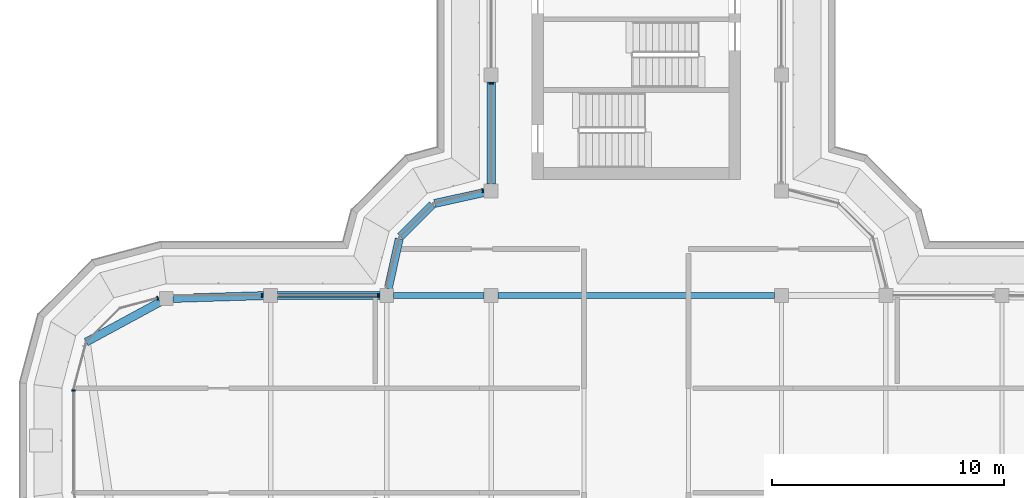
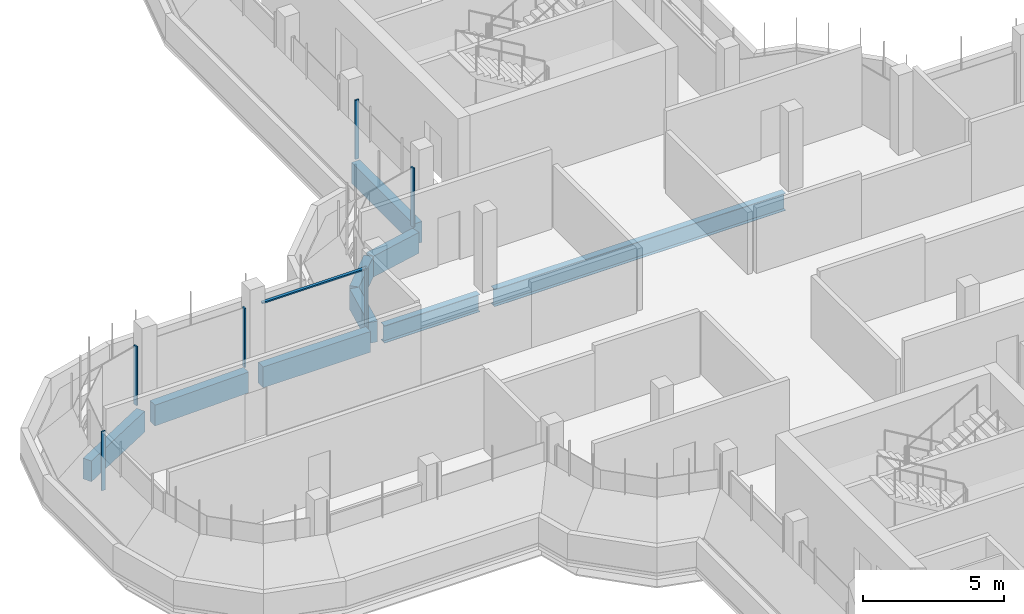
# One storey, part 6 of 19: 9 beams, 7 members, 5 elements without a shape of their own.
"""IFC4 building model written with IfcOpenShell, lengths in metres."""

from ifc_helpers import new_model, si_unit, direction, frame, origin, origin_2d, place, context, subcontext, project, spatial, polyline, rectangle, i_section, outline, extrude, source, transform, mapped, material, material_profile, profile_set, type_object, element, aggregate, save


model = new_model("IFC4")

# Units and contexts
model_context = context("Model", 3, precision=1e-05, world=origin(), true_north=direction((0.0, 1.0)))
body_context = subcontext(model_context, "Body", "Model", "MODEL_VIEW")
ifc_project = project(units=[si_unit("LENGTHUNIT", "METRE"), si_unit("AREAUNIT", "SQUARE_METRE"), si_unit("VOLUMEUNIT", "CUBIC_METRE"), si_unit("PLANEANGLEUNIT", "RADIAN"), si_unit("MASSUNIT", "GRAM", prefix="KILO")], contexts=[model_context])

# Site, building, storey
site_placement = place(None, origin())
site = spatial("IfcSite", under=ifc_project, at=site_placement, CompositionType="ELEMENT")
building_placement = place(site_placement, origin())
building = spatial("IfcBuilding", under=site, at=building_placement, Name="Zarbagh Exchange Tower", CompositionType="ELEMENT")
storey_placement = place(building_placement, frame((0.0, 0.0, 295.199951171875)))
storey = spatial("IfcBuildingStorey", under=building, at=storey_placement, Name="L72", CompositionType="ELEMENT", Elevation=295.199951171875)

# Beams
ifc_material_1 = material(Name="Steel ASTM A992 Gr 50", Category="steel")
ifc_material_profile_1 = material_profile(ifc_material_1, i_section(OverallWidth=0.26416015625, OverallDepth=0.749267578125, WebThickness=0.011962890625, FlangeThickness=0.015380859375, at=origin_2d()), Name="W30X90")
ifc_profile_set_1 = profile_set([ifc_material_profile_1], Name="Steel ASTM A992 Gr 50")
beam_type_1 = type_object("IfcBeamType", Name="Floor girder W30X90", PredefinedType="BEAM", material=ifc_profile_set_1)
beam_1_placement = place(storey_placement, frame((-10.449951171875, 6.25, -0.524658203125), z_axis=(1.0, 0.0, 0.0), x_axis=(0.0, 1.0, 0.0)))
element("IfcBeam", 1, at=beam_1_placement, inside=storey, type_object=beam_type_1, Name="Steel girder", PredefinedType="BEAM", context=body_context, shape_type="SweptSolid", body=[
    extrude(i_section(OverallWidth=0.26416015625, OverallDepth=0.749267578125, WebThickness=0.011962890625, FlangeThickness=0.015380859375, at=origin_2d()), origin(), (0.0, 0.0, 1.0), 3.89990234375),
])
beam_2_placement = place(storey_placement, frame((-5.949951171875, 6.25, -0.524658203125), z_axis=(1.0, 0.0, 0.0), x_axis=(0.0, 1.0, 0.0)))
element("IfcBeam", 2, at=beam_2_placement, inside=storey, type_object=beam_type_1, Name="Steel girder", PredefinedType="BEAM", context=body_context, shape_type="SweptSolid", body=[
    extrude(i_section(OverallWidth=0.26416015625, OverallDepth=0.749267578125, WebThickness=0.011962890625, FlangeThickness=0.015380859375, at=origin_2d()), origin(), (0.0, 0.0, 1.0), 11.89990234375),
])
ifc_material_2 = material(Name="Concrete C40/50", Category="concrete")
ifc_material_profile_2 = material_profile(ifc_material_2, rectangle(XDim=0.35009765625, YDim=0.89990234375, at=origin_2d()), Name="RC spandrel beam 350 x 900 C40/50")
ifc_profile_set_2 = profile_set([ifc_material_profile_2], Name="Concrete C40/50")
beam_type_2 = type_object("IfcBeamType", Name="RC spandrel beam 350 x 900 C40/50", PredefinedType="SPANDREL", material=ifc_profile_set_2)
beam_3_placement = place(storey_placement, frame((-23.69873046875, 4.2412109375, -0.599853515625), z_axis=(0.879208451731, 0.476437297454, 0.0), x_axis=(-0.476437297454, 0.879208451731, 0.0)))
element("IfcBeam", 3, at=beam_3_placement, inside=storey, type_object=beam_type_2, Name="RC spandrel beam", PredefinedType="SPANDREL", context=body_context, shape_type="SweptSolid", body=[
    extrude(rectangle(XDim=0.35009765625, YDim=0.89990234375, at=origin_2d()), origin(), (0.0, 0.0, 1.0), 3.622314453125),
])
beam_4_placement = place(storey_placement, frame((-19.9501953125, 6.119384765625, -0.599853515625), z_axis=(0.999516460907, 0.031094121249, 0.0), x_axis=(-0.031094121249, 0.999516460907, 0.0)))
element("IfcBeam", 4, at=beam_4_placement, inside=storey, type_object=beam_type_2, Name="RC spandrel beam", PredefinedType="SPANDREL", context=body_context, shape_type="SweptSolid", body=[
    extrude(rectangle(XDim=0.35009765625, YDim=0.89990234375, at=origin_2d()), origin(), (0.0, 0.0, 1.0), 3.90234375),
])
beam_5_placement = place(storey_placement, frame((-15.449951171875, 6.25, -0.599853515625), z_axis=(1.0, 0.0, 0.0), x_axis=(0.0, 1.0, 0.0)))
element("IfcBeam", 5, at=beam_5_placement, inside=storey, type_object=beam_type_2, Name="RC spandrel beam", PredefinedType="SPANDREL", context=body_context, shape_type="SweptSolid", body=[
    extrude(rectangle(XDim=0.35009765625, YDim=0.89990234375, at=origin_2d()), origin(), (0.0, 0.0, 1.0), 4.39990234375),
])
beam_6_placement = place(storey_placement, frame((-10.685302734375, 6.54296875, -0.599853515625), z_axis=(0.216025770228, 0.976387662047, 0.0), x_axis=(-0.976387662047, 0.216025770228, 0.0)))
element("IfcBeam", 6, at=beam_6_placement, inside=storey, type_object=beam_type_2, Name="RC spandrel beam", PredefinedType="SPANDREL", context=body_context, shape_type="SweptSolid", body=[
    extrude(rectangle(XDim=0.35009765625, YDim=0.89990234375, at=origin_2d()), origin(), (0.0, 0.0, 1.0), 2.200439453125),
])
beam_7_placement = place(storey_placement, frame((-10.16259765625, 8.77734375, -0.599853515625), z_axis=(0.707106781187, 0.707106781187, 0.0), x_axis=(-0.707106781187, 0.707106781187, 0.0)))
element("IfcBeam", 7, at=beam_7_placement, inside=storey, type_object=beam_type_2, Name="RC spandrel beam", PredefinedType="SPANDREL", context=body_context, shape_type="SweptSolid", body=[
    extrude(rectangle(XDim=0.35009765625, YDim=0.89990234375, at=origin_2d()), origin(), (0.0, 0.0, 1.0), 1.958984375),
])
beam_8_placement = place(storey_placement, frame((-8.69140625, 10.2099609375, -0.599853515625), z_axis=(0.976387662047, 0.216025770228, 0.0), x_axis=(-0.216025770228, 0.976387662047, 0.0)))
element("IfcBeam", 8, at=beam_8_placement, inside=storey, type_object=beam_type_2, Name="RC spandrel beam", PredefinedType="SPANDREL", context=body_context, shape_type="SweptSolid", body=[
    extrude(rectangle(XDim=0.35009765625, YDim=0.89990234375, at=origin_2d()), origin(), (0.0, 0.0, 1.0), 2.200439453125),
])
beam_9_placement = place(storey_placement, frame((-6.25, 11.050048828125, -0.599853515625), z_axis=(0.0, 1.0, 0.0), x_axis=(-1.0, 0.0, 0.0)))
element("IfcBeam", 9, at=beam_9_placement, inside=storey, type_object=beam_type_2, Name="RC spandrel beam", PredefinedType="SPANDREL", context=body_context, shape_type="SweptSolid", body=[
    extrude(rectangle(XDim=0.35009765625, YDim=0.89990234375, at=origin_2d()), origin(), (0.0, 0.0, 1.0), 4.39990234375),
])

# Curtain wall, member
ifc_material_3 = material(Name="Anodised aluminium frame and glazing", Category="aluminium")
curtain_wall_type = type_object("IfcCurtainWallType", Name="CWF Crown tier glazing", PredefinedType="NOTDEFINED", material=ifc_material_3)
curtain_wall_1_placement = place(storey_placement, origin())
curtain_wall_1 = element("IfcCurtainWall", 10, at=curtain_wall_1_placement, inside=storey, type_object=curtain_wall_type, Name="CWF31 curtain wall", PredefinedType="NOTDEFINED")
ifc_material_4 = material(Name="Anodised aluminium frame", Category="aluminium")
member_type_1 = type_object("IfcMemberType", Name="TRF Transom, anodised aluminium frame", PredefinedType="USERDEFINED", material=ifc_material_4)
shared_shape_1 = source(origin(), body_context, "Body", "SweptSolid", [
    extrude(outline(polyline([(-0.06005859375, -0.06005859375), (0.0, -0.06005859375), (0.0, 0.06005859375), (-0.06005859375, 0.06005859375), (-0.06005859375, -0.06005859375)])), origin(), (0.0, 0.0, 1.0), 4.260009765625),
])
placement = place(storey_placement, origin())
member_1 = element("IfcMember", 11, at=placement, type_object=member_type_1, Name="CWF31 transom 1.1", ObjectType="TRANSOM", PredefinedType="USERDEFINED", context=body_context, shape_type="MappedRepresentation", body=[
    mapped(shared_shape_1, transform((-11.150146484375, 6.25, 2.550048828125), x_axis=(0.0, 0.0, 1.0), y_axis=(0.0, 1.0, 0.0), z_axis=(-1.0, 0.0, 0.0))),
])

curtain_wall_2_placement = place(storey_placement, origin())
curtain_wall_2 = element("IfcCurtainWall", 12, at=curtain_wall_2_placement, inside=storey, type_object=curtain_wall_type, Name="CWF27 curtain wall", PredefinedType="NOTDEFINED")
member_type_2 = type_object("IfcMemberType", Name="MUF Mullion, anodised aluminium frame", PredefinedType="MULLION", material=ifc_material_4)
shared_shape_2 = source(origin(), body_context, "Body", "SweptSolid", [
    extrude(outline(polyline([(0.0, -0.080078125), (0.06005859375, -0.080078125), (0.06005859375, 0.080078125), (0.0, 0.080078125), (0.0, -0.080078125)])), origin(), (0.0, 0.0, 1.0), 2.550048828125),
])
member_2 = element("IfcMember", 13, at=placement, type_object=member_type_2, Name="CWF27 mullion 3.1", PredefinedType="MULLION", context=body_context, shape_type="MappedRepresentation", body=[
    mapped(shared_shape_2, transform((-6.25, 15.409912109375, 0.0), x_axis=(0.0, -1.0, 0.0), y_axis=(1.0, 0.0, 0.0), z_axis=(0.0, 0.0, 1.0))),
])
aggregate(curtain_wall_2, [member_2])

curtain_wall_3_placement = place(storey_placement, origin())
curtain_wall_3 = element("IfcCurtainWall", 14, at=curtain_wall_3_placement, inside=storey, type_object=curtain_wall_type, Name="CWF28 curtain wall", PredefinedType="NOTDEFINED")
member_3 = element("IfcMember", 15, at=placement, type_object=member_type_2, Name="CWF28 mullion 1.1", PredefinedType="MULLION", context=body_context, shape_type="MappedRepresentation", body=[
    mapped(shared_shape_2, transform((-6.590087890625, 10.775146484375, 0.0), x_axis=(-0.965924289636, -0.258824779902, 0.0), y_axis=(0.258824779902, -0.965924289636, 0.0), z_axis=(0.0, 0.0, 1.0))),
])
aggregate(curtain_wall_3, [member_3])

# Member
member_4 = element("IfcMember", 16, at=placement, type_object=member_type_2, Name="CWF31 mullion 1.1", PredefinedType="MULLION", context=body_context, shape_type="MappedRepresentation", body=[
    mapped(shared_shape_2, transform((-11.090087890625, 6.25, 0.0), x_axis=(-1.0, 0.0, 0.0), y_axis=(0.0, -1.0, 0.0), z_axis=(0.0, 0.0, 1.0))),
])

member_5 = element("IfcMember", 17, at=placement, type_object=member_type_2, Name="CWF31 mullion 2.1", PredefinedType="MULLION", context=body_context, shape_type="MappedRepresentation", body=[
    mapped(shared_shape_2, transform((-16.090087890625, 6.25, 0.0), x_axis=(-1.0, 0.0, 0.0), y_axis=(0.0, -1.0, 0.0), z_axis=(0.0, 0.0, 1.0))),
])

aggregate(curtain_wall_1, [member_4, member_1, member_5])

# Curtain wall, member
curtain_wall_4_placement = place(storey_placement, origin())
curtain_wall_4 = element("IfcCurtainWall", 18, at=curtain_wall_4_placement, inside=storey, type_object=curtain_wall_type, Name="CWF32 curtain wall", PredefinedType="NOTDEFINED")
member_6 = element("IfcMember", 19, at=placement, type_object=member_type_2, Name="CWF32 mullion 1.1", PredefinedType="MULLION", context=body_context, shape_type="MappedRepresentation", body=[
    mapped(shared_shape_2, transform((-20.58984375, 6.141357421875, 0.0), x_axis=(-0.965924289636, -0.258824779902, 0.0), y_axis=(0.258824779902, -0.965924289636, 0.0), z_axis=(0.0, 0.0, 1.0))),
])
aggregate(curtain_wall_4, [member_6])

curtain_wall_5_placement = place(storey_placement, origin())
curtain_wall_5 = element("IfcCurtainWall", 20, at=curtain_wall_5_placement, inside=storey, type_object=curtain_wall_type, Name="CWF35 curtain wall", PredefinedType="NOTDEFINED")
member_7 = element("IfcMember", 21, at=placement, type_object=member_type_2, Name="CWF35 mullion 1.1", PredefinedType="MULLION", context=body_context, shape_type="MappedRepresentation", body=[
    mapped(shared_shape_2, transform((-24.25, 2.18408203125, 0.0), x_axis=(0.0, -1.0, 0.0), y_axis=(1.0, 0.0, 0.0), z_axis=(0.0, 0.0, 1.0))),
])
aggregate(curtain_wall_5, [member_7])

save(model, "model.ifc")
